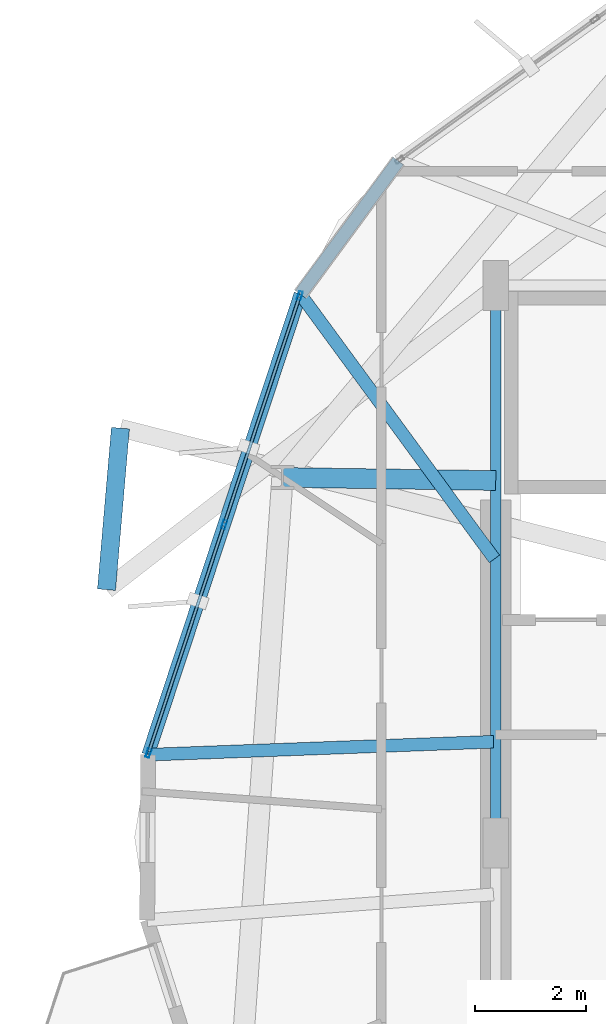
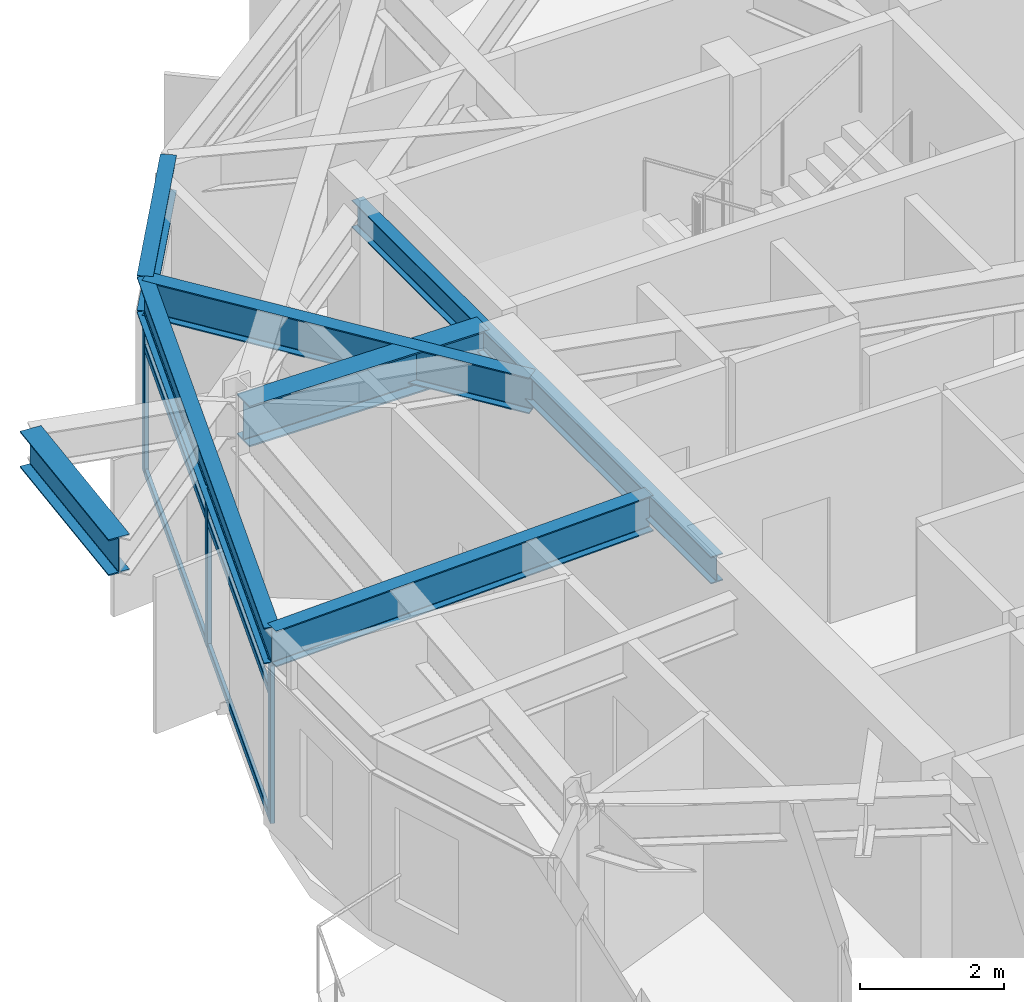
# One storey, part 6 of 24: 9 members, 7 beams, 1 element without a shape of its own.
"""IFC4 building model written with IfcOpenShell, lengths in metres."""

from ifc_helpers import new_model, si_unit, direction, frame, origin, origin_2d, place, context, subcontext, project, spatial, hollow_rectangle, i_section, extrude, material, layer, layer_set, material_profile, profile_set, type_object, element, aggregate, save


model = new_model("IFC4")

# Units and contexts
model_context = context("Model", 3, precision=1e-05, world=origin(), true_north=direction((0.0, 1.0)))
body_context = subcontext(model_context, "Body", "Model", "MODEL_VIEW")
ifc_project = project(units=[si_unit("LENGTHUNIT", "METRE"), si_unit("AREAUNIT", "SQUARE_METRE"), si_unit("VOLUMEUNIT", "CUBIC_METRE"), si_unit("PLANEANGLEUNIT", "RADIAN"), si_unit("MASSUNIT", "GRAM", prefix="KILO")], contexts=[model_context])

# Site, building, storey
site_placement = place(None, origin())
site = spatial("IfcSite", under=ifc_project, at=site_placement, CompositionType="ELEMENT")
building_placement = place(site_placement, origin())
building = spatial("IfcBuilding", under=site, at=building_placement, Name="Soratama Intermodal Tower", CompositionType="ELEMENT")
storey_placement = place(building_placement, frame((0.0, 0.0, 164.199951171875)))
storey = spatial("IfcBuildingStorey", under=building, at=storey_placement, Name="L40", CompositionType="ELEMENT", Elevation=164.199951171875)

# Beams
ifc_material_1 = material(Name="Structural steel ASTM A992 Grade 50", Category="steel")
ifc_material_profile_1 = material_profile(ifc_material_1, i_section(OverallWidth=0.324951171875, OverallDepth=0.615966796875, WebThickness=0.013916015625, FlangeThickness=0.021484375, FilletRadius=0.013916015625, at=origin_2d()), Name="W24X117")
ifc_profile_set_1 = profile_set([ifc_material_profile_1], Name="Structural steel ASTM A992 Grade 50")
beam_type_1 = type_object("IfcBeamType", Name="BM-CANT-W24X117", PredefinedType="BEAM", material=ifc_profile_set_1)
beam_1_placement = place(storey_placement, frame((25.866943359375, 32.43994140625, 2.991943359375), z_axis=(-0.085948673609, -0.996299566147, 0.0), x_axis=(0.996299566147, -0.085948673609, 0.0)))
element("IfcBeam", 1, at=beam_1_placement, inside=storey, type_object=beam_type_1, Name="BM-L40-CBHDR-2", PredefinedType="BEAM", context=body_context, shape_type="SweptSolid", body=[
    extrude(i_section(OverallWidth=0.324951171875, OverallDepth=0.615966796875, WebThickness=0.013916015625, FlangeThickness=0.021484375, FilletRadius=0.013916015625, at=origin_2d()), origin(), (0.0, 0.0, 1.0), 2.90869140625),
])
ifc_material_2 = material(Name="Structural steel ASTM A992 Grade 50", Category="steel")
ifc_material_profile_2 = material_profile(ifc_material_2, i_section(OverallWidth=0.19091796875, OverallDepth=0.4599609375, WebThickness=0.010009765625, FlangeThickness=0.01611328125, FilletRadius=0.010986328125, at=origin_2d()), Name="W18X55")
ifc_profile_set_2 = profile_set([ifc_material_profile_2], Name="Structural steel ASTM A992 Grade 50")
beam_type_2 = type_object("IfcBeamType", Name="BM-FLR-W18X55", PredefinedType="BEAM", material=ifc_profile_set_2)
beam_2_placement = place(storey_placement, frame((32.60009765625, 35.0, 3.070068359375), z_axis=(0.0, -1.0, 0.0), x_axis=(1.0, 0.0, 0.0)))
element("IfcBeam", 2, at=beam_2_placement, inside=storey, type_object=beam_type_2, Name="BM-L40-CRING-08", PredefinedType="BEAM", context=body_context, shape_type="SweptSolid", body=[
    extrude(i_section(OverallWidth=0.19091796875, OverallDepth=0.4599609375, WebThickness=0.010009765625, FlangeThickness=0.01611328125, FilletRadius=0.010986328125, at=origin_2d()), origin(), (0.0, 0.0, 1.0), 10.0),
])
ifc_material_3 = material(Name="Structural steel ASTM A992 Grade 50", Category="steel")
ifc_material_profile_3 = material_profile(ifc_material_3, i_section(OverallWidth=0.35498046875, OverallDepth=0.695068359375, WebThickness=0.015380859375, FlangeThickness=0.02490234375, FilletRadius=0.01611328125, at=origin_2d()), Name="W27X146")
ifc_profile_set_3 = profile_set([ifc_material_profile_3], Name="Structural steel ASTM A992 Grade 50")
beam_type_3 = type_object("IfcBeamType", Name="BM-RING-W27X146", PredefinedType="BEAM", material=ifc_profile_set_3)
beam_3_placement = place(storey_placement, frame((32.60009765625, 31.5, 2.95263671875), z_axis=(-0.999893261134, 0.014610487289, 0.0), x_axis=(-0.014610487289, -0.999893261134, 0.0)))
element("IfcBeam", 3, at=beam_3_placement, inside=storey, type_object=beam_type_3, Name="BM-L40-RAD-05", PredefinedType="BEAM", context=body_context, shape_type="SweptSolid", body=[
    extrude(i_section(OverallWidth=0.35498046875, OverallDepth=0.695068359375, WebThickness=0.015380859375, FlangeThickness=0.02490234375, FilletRadius=0.01611328125, at=origin_2d()), origin(), (0.0, 0.0, 1.0), 3.82666015625),
])
ifc_material_4 = material(Name="Structural steel ASTM A992 Grade 50", Category="steel")
ifc_material_profile_4 = material_profile(ifc_material_4, i_section(OverallWidth=0.22900390625, OverallDepth=0.612060546875, WebThickness=0.011962890625, FlangeThickness=0.01953125, FilletRadius=0.012939453125, at=origin_2d()), Name="W24X84")
ifc_profile_set_4 = profile_set([ifc_material_profile_4], Name="Structural steel ASTM A992 Grade 50")
beam_type_4 = type_object("IfcBeamType", Name="BM-SPN-W24X84", PredefinedType="SPANDREL", material=ifc_profile_set_4)
beam_4_placement = place(storey_placement, frame((30.85107421875, 37.23388671875, 2.994140625), z_axis=(-0.592190938714, -0.805797674423, 0.0), x_axis=(0.805797674423, -0.592190938714, 0.0)))
element("IfcBeam", 4, at=beam_4_placement, inside=storey, type_object=beam_type_4, Name="BS-L40-CRN03", PredefinedType="SPANDREL", context=body_context, shape_type="SweptSolid", body=[
    extrude(i_section(OverallWidth=0.22900390625, OverallDepth=0.612060546875, WebThickness=0.011962890625, FlangeThickness=0.01953125, FilletRadius=0.012939453125, at=origin_2d()), origin(), (0.0, 0.0, 1.0), 2.967041015625),
])
beam_5_placement = place(storey_placement, frame((29.093994140625, 34.843017578125, 2.994140625), z_axis=(-0.313945904534, -0.949440871791, 0.0), x_axis=(0.949440871791, -0.313945904534, 0.0)))
element("IfcBeam", 5, at=beam_5_placement, inside=storey, type_object=beam_type_4, Name="BS-L40-F04", PredefinedType="SPANDREL", context=body_context, shape_type="SweptSolid", body=[
    extrude(i_section(OverallWidth=0.22900390625, OverallDepth=0.612060546875, WebThickness=0.011962890625, FlangeThickness=0.01953125, FilletRadius=0.012939453125, at=origin_2d()), origin(), (0.0, 0.0, 1.0), 8.701904296875),
])
ifc_material_5 = material(Name="Structural steel ASTM A992 Grade 50", Category="steel")
ifc_material_profile_5 = material_profile(ifc_material_5, i_section(OverallWidth=0.22900390625, OverallDepth=0.612060546875, WebThickness=0.011962890625, FlangeThickness=0.01953125, FilletRadius=0.012939453125, at=origin_2d()), Name="W24X84")
ifc_profile_set_5 = profile_set([ifc_material_profile_5], Name="Structural steel ASTM A992 Grade 50")
beam_type_5 = type_object("IfcBeamType", Name="BM-TIE-W24X84", PredefinedType="BEAM", material=ifc_profile_set_5)
beam_6_placement = place(storey_placement, frame((32.575927734375, 30.093994140625, 2.994140625), z_axis=(-0.591288172117, 0.806460350863, 0.0), x_axis=(-0.806460350863, -0.591288172117, 0.0)))
element("IfcBeam", 6, at=beam_6_placement, inside=storey, type_object=beam_type_5, Name="BM-L40-TIE0-04", PredefinedType="BEAM", context=body_context, shape_type="SweptSolid", body=[
    extrude(i_section(OverallWidth=0.22900390625, OverallDepth=0.612060546875, WebThickness=0.011962890625, FlangeThickness=0.01953125, FilletRadius=0.012939453125, at=origin_2d()), origin(), (0.0, 0.0, 1.0), 5.888671875),
])
beam_7_placement = place(storey_placement, frame((32.56005859375, 26.81396484375, 2.994140625), z_axis=(-0.999294683042, -0.037551783496, 0.0), x_axis=(0.037551783496, -0.999294683042, 0.0)))
element("IfcBeam", 7, at=beam_7_placement, inside=storey, type_object=beam_type_5, Name="BM-L40-TIE1-04", PredefinedType="BEAM", context=body_context, shape_type="SweptSolid", body=[
    extrude(i_section(OverallWidth=0.22900390625, OverallDepth=0.612060546875, WebThickness=0.011962890625, FlangeThickness=0.01953125, FilletRadius=0.012939453125, at=origin_2d()), origin(), (0.0, 0.0, 1.0), 6.202392578125),
])

# Curtain wall, members
ifc_material_6 = material(Name="Double-glazed aluminium curtain wall", Category="aluminium")
ifc_layer = layer(ifc_material_6, 0.159912109375)
ifc_layer_set = layer_set([ifc_layer], Name="Double-glazed aluminium curtain wall")
curtain_wall_type = type_object("IfcCurtainWallType", Name="CW-SYS-4", PredefinedType="NOTDEFINED", material=ifc_layer_set)
curtain_wall_placement = place(storey_placement, origin())
curtain_wall = element("IfcCurtainWall", 8, at=curtain_wall_placement, inside=storey, type_object=curtain_wall_type, Name="L40 Faceted Curtain Wall F04", PredefinedType="NOTDEFINED")
ifc_material_7 = material(Name="Anodised aluminium AA 6063-T6", Category="aluminium")
ifc_material_profile_6 = material_profile(ifc_material_7, hollow_rectangle(XDim=0.070068359375, YDim=0.159912109375, WallThickness=0.0048828125, InnerFilletRadius=0.0048828125, OuterFilletRadius=0.010009765625, at=origin_2d()), Name="CWM160X70X5")
ifc_profile_set_6 = profile_set([ifc_material_profile_6], Name="Anodised aluminium AA 6063-T6")
member_type_1 = type_object("IfcMemberType", Name="MT-CWM-4", PredefinedType="MULLION", material=ifc_profile_set_6)
member_1_placement = place(storey_placement, frame((29.0849609375, 34.81494140625, 0.0), z_axis=(0.0, 0.0, 1.0), x_axis=(0.949425261398, -0.313993109827, 0.0)))
member_1 = element("IfcMember", 9, at=member_1_placement, type_object=member_type_1, Name="CW-4 mullion 1", PredefinedType="MULLION", context=body_context, shape_type="SweptSolid", body=[
    extrude(hollow_rectangle(XDim=0.070068359375, YDim=0.159912109375, WallThickness=0.0048828125, InnerFilletRadius=0.0048828125, OuterFilletRadius=0.010009765625, at=origin_2d()), origin(), (0.0, 0.0, 1.0), 2.678955078125),
])
member_2_placement = place(storey_placement, frame((27.72802734375, 30.712158203125, 0.0), z_axis=(0.0, 0.0, 1.0), x_axis=(0.949425261398, -0.313993109827, 0.0)))
member_2 = element("IfcMember", 10, at=member_2_placement, type_object=member_type_1, Name="CW-4 mullion 2", PredefinedType="MULLION", context=body_context, shape_type="SweptSolid", body=[
    extrude(hollow_rectangle(XDim=0.070068359375, YDim=0.159912109375, WallThickness=0.0048828125, InnerFilletRadius=0.0048828125, OuterFilletRadius=0.010009765625, at=origin_2d()), origin(), (0.0, 0.0, 1.0), 2.678955078125),
])
member_3_placement = place(storey_placement, frame((26.37109375, 26.609375, 0.0), z_axis=(0.0, 0.0, 1.0), x_axis=(0.949425261398, -0.313993109827, 0.0)))
member_3 = element("IfcMember", 11, at=member_3_placement, type_object=member_type_1, Name="CW-4 mullion 3", PredefinedType="MULLION", context=body_context, shape_type="SweptSolid", body=[
    extrude(hollow_rectangle(XDim=0.070068359375, YDim=0.159912109375, WallThickness=0.0048828125, InnerFilletRadius=0.0048828125, OuterFilletRadius=0.010009765625, at=origin_2d()), origin(), (0.0, 0.0, 1.0), 2.678955078125),
])
ifc_material_8 = material(Name="Anodised aluminium AA 6063-T6", Category="aluminium")
ifc_material_profile_7 = material_profile(ifc_material_8, hollow_rectangle(XDim=0.06005859375, YDim=0.1298828125, WallThickness=0.0048828125, InnerFilletRadius=0.0048828125, OuterFilletRadius=0.010009765625, at=origin_2d()), Name="CWT130X60X5")
ifc_profile_set_7 = profile_set([ifc_material_profile_7], Name="Anodised aluminium AA 6063-T6")
member_type_2 = type_object("IfcMemberType", Name="TT-CWT-2", PredefinedType="USERDEFINED", material=ifc_profile_set_7)
member_4_placement = place(storey_placement, frame((29.075439453125, 34.78662109375, 0.030029296875), z_axis=(-0.314009756346, -0.949419755914, 0.0), x_axis=(0.949419755914, -0.314009756346, 0.0)))
member_4 = element("IfcMember", 12, at=member_4_placement, type_object=member_type_2, Name="CW-4 transom 1.1", ObjectType="TRANSOM", PredefinedType="USERDEFINED", context=body_context, shape_type="SweptSolid", body=[
    extrude(hollow_rectangle(XDim=0.06005859375, YDim=0.1298828125, WallThickness=0.0048828125, InnerFilletRadius=0.0048828125, OuterFilletRadius=0.010009765625, at=origin_2d()), origin(), (0.0, 0.0, 1.0), 4.261474609375),
])
member_5_placement = place(storey_placement, frame((29.075439453125, 34.78662109375, 2.150146484375), z_axis=(-0.314009756346, -0.949419755914, 0.0), x_axis=(0.949419755914, -0.314009756346, 0.0)))
member_5 = element("IfcMember", 13, at=member_5_placement, type_object=member_type_2, Name="CW-4 transom 1.2", ObjectType="TRANSOM", PredefinedType="USERDEFINED", context=body_context, shape_type="SweptSolid", body=[
    extrude(hollow_rectangle(XDim=0.06005859375, YDim=0.1298828125, WallThickness=0.0048828125, InnerFilletRadius=0.0048828125, OuterFilletRadius=0.010009765625, at=origin_2d()), origin(), (0.0, 0.0, 1.0), 4.261474609375),
])
member_6_placement = place(storey_placement, frame((29.075439453125, 34.78662109375, 2.649169921875), z_axis=(-0.314009756346, -0.949419755914, 0.0), x_axis=(0.949419755914, -0.314009756346, 0.0)))
member_6 = element("IfcMember", 14, at=member_6_placement, type_object=member_type_2, Name="CW-4 transom 1.3", ObjectType="TRANSOM", PredefinedType="USERDEFINED", context=body_context, shape_type="SweptSolid", body=[
    extrude(hollow_rectangle(XDim=0.06005859375, YDim=0.1298828125, WallThickness=0.0048828125, InnerFilletRadius=0.0048828125, OuterFilletRadius=0.010009765625, at=origin_2d()), origin(), (0.0, 0.0, 1.0), 4.261474609375),
])
member_7_placement = place(storey_placement, frame((27.718505859375, 30.683837890625, 0.030029296875), z_axis=(-0.313958113331, -0.949436834694, 0.0), x_axis=(0.949436834694, -0.313958113331, 0.0)))
member_7 = element("IfcMember", 15, at=member_7_placement, type_object=member_type_2, Name="CW-4 transom 2.1", ObjectType="TRANSOM", PredefinedType="USERDEFINED", context=body_context, shape_type="SweptSolid", body=[
    extrude(hollow_rectangle(XDim=0.06005859375, YDim=0.1298828125, WallThickness=0.0048828125, InnerFilletRadius=0.0048828125, OuterFilletRadius=0.010009765625, at=origin_2d()), origin(), (0.0, 0.0, 1.0), 4.261474609375),
])
member_8_placement = place(storey_placement, frame((27.718505859375, 30.683837890625, 2.150146484375), z_axis=(-0.313958113331, -0.949436834694, 0.0), x_axis=(0.949436834694, -0.313958113331, 0.0)))
member_8 = element("IfcMember", 16, at=member_8_placement, type_object=member_type_2, Name="CW-4 transom 2.2", ObjectType="TRANSOM", PredefinedType="USERDEFINED", context=body_context, shape_type="SweptSolid", body=[
    extrude(hollow_rectangle(XDim=0.06005859375, YDim=0.1298828125, WallThickness=0.0048828125, InnerFilletRadius=0.0048828125, OuterFilletRadius=0.010009765625, at=origin_2d()), origin(), (0.0, 0.0, 1.0), 4.261474609375),
])
member_9_placement = place(storey_placement, frame((27.718505859375, 30.683837890625, 2.649169921875), z_axis=(-0.313958113331, -0.949436834694, 0.0), x_axis=(0.949436834694, -0.313958113331, 0.0)))
member_9 = element("IfcMember", 17, at=member_9_placement, type_object=member_type_2, Name="CW-4 transom 2.3", ObjectType="TRANSOM", PredefinedType="USERDEFINED", context=body_context, shape_type="SweptSolid", body=[
    extrude(hollow_rectangle(XDim=0.06005859375, YDim=0.1298828125, WallThickness=0.0048828125, InnerFilletRadius=0.0048828125, OuterFilletRadius=0.010009765625, at=origin_2d()), origin(), (0.0, 0.0, 1.0), 4.261474609375),
])
aggregate(curtain_wall, [member_1, member_2, member_3, member_4, member_5, member_6, member_7, member_8, member_9])

save(model, "model.ifc")
